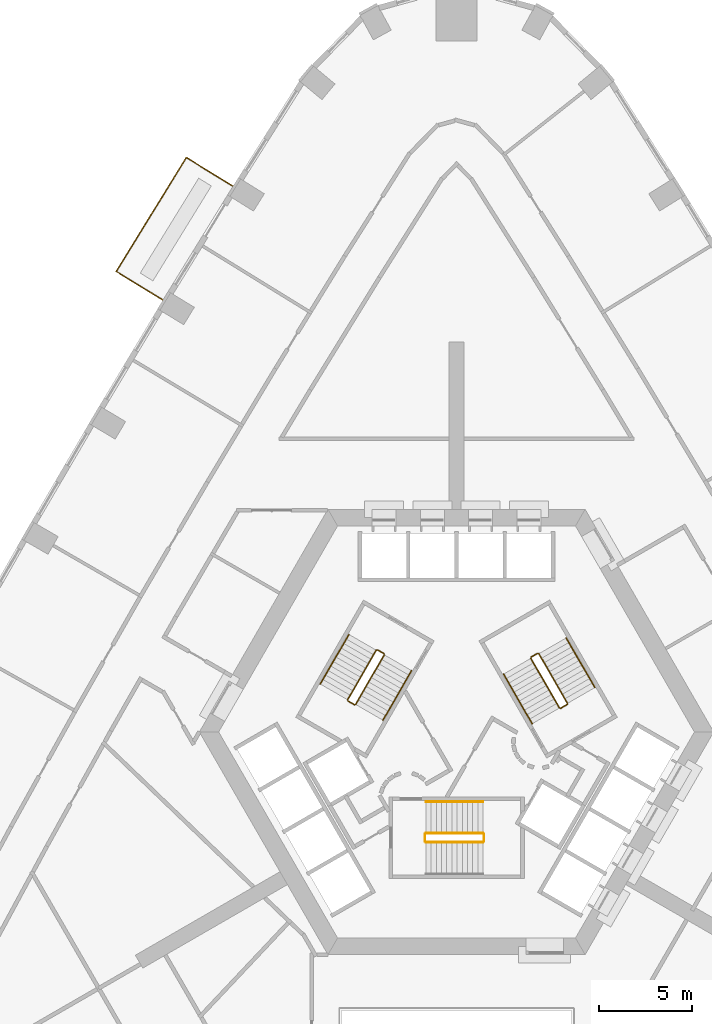
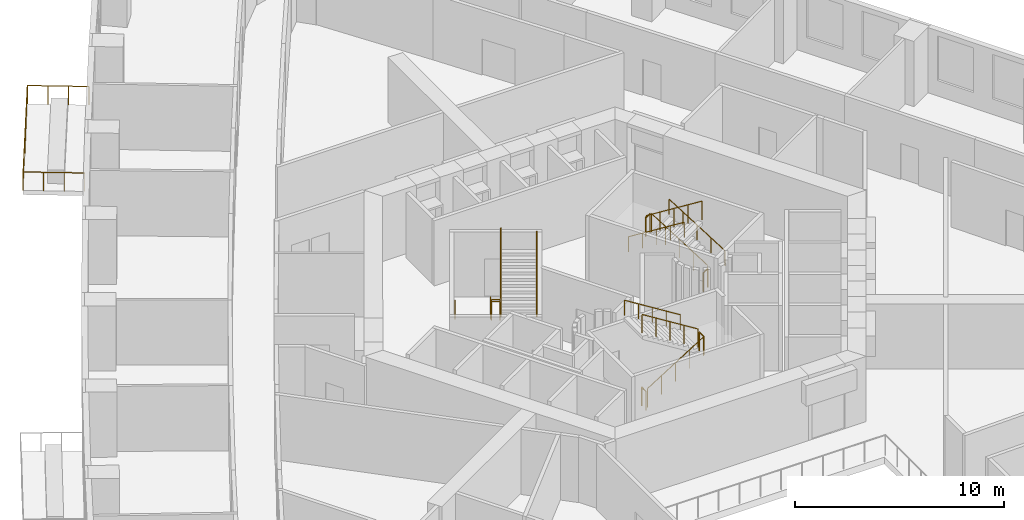
# One storey, part 14 of 15: 18 railings.
"""IFC4 building model written with IfcOpenShell, lengths in metres."""

import ifcopenshell
import ifcopenshell.guid

model = None  # the IFC model being written
_history = None  # IfcOwnerHistory: only IFC2X3 demands one
_inside = {}  # id of a spatial element -> (the spatial element, [elements in it])
_under = {}  # id of a project, library or spatial element -> (it, [spatial elements below it])
_declared = {}  # id of a project -> (the project, [libraries it declares])
_typed = {}  # id of a type object -> (the type object, [elements of that type])
_made_of = {}  # id of a material, layer set ... -> (it, [elements and type objects made of it])


def new_model(schema):
    """Start an empty IFC model of exactly this schema.

    Asked for "IFC4X3", IfcOpenShell would pick the latest addendum, in which some entities
    have other attributes; the version numbers below select the first issue.
    IFC2X3 requires an IfcOwnerHistory on every rooted entity: one is made here for all.
    """
    global model, _history
    if schema == "IFC4X3":
        model = ifcopenshell.file(schema_version=(4, 3, 0, 0))
    else:
        model = ifcopenshell.file(schema=schema)
    _inside.clear()
    _under.clear()
    _declared.clear()
    _typed.clear()
    _made_of.clear()
    _history = None
    if model.schema == "IFC2X3":
        org = make("IfcOrganization", Name="unknown")
        user = make(
            "IfcPersonAndOrganization",
            ThePerson=make("IfcPerson", FamilyName="unknown"),
            TheOrganization=org,
        )
        app = make(
            "IfcApplication",
            ApplicationDeveloper=org,
            Version="unknown",
            ApplicationFullName="unknown",
            ApplicationIdentifier="unknown",
        )
        _history = make(
            "IfcOwnerHistory",
            OwningUser=user,
            OwningApplication=app,
            ChangeAction="ADDED",
            CreationDate=0,
        )
    return model


def make(cls, **values):
    """One entity of the class cls with the attributes given. An attribute that is None is left unset."""
    return model.create_entity(
        cls, **{name: value for name, value in values.items() if value is not None}
    )


def rooted(cls, **values):
    """An entity with a GlobalId (a new one), such as an element, a storey or a relation."""
    return make(cls, GlobalId=ifcopenshell.guid.new(), OwnerHistory=_history, **values)


def si_unit(unit_type, name, prefix=None):
    """IfcSIUnit, for example si_unit("LENGTHUNIT", "METRE", prefix="MILLI")."""
    return make("IfcSIUnit", UnitType=unit_type, Prefix=prefix, Name=name)


def assignment(units):
    """IfcUnitAssignment: the units of a project."""
    return None if units is None else make("IfcUnitAssignment", Units=units)


def point(xyz):
    """IfcCartesianPoint."""
    return None if xyz is None else make("IfcCartesianPoint", Coordinates=xyz)


def direction(xyz):
    """IfcDirection."""
    return None if xyz is None else make("IfcDirection", DirectionRatios=xyz)


def frame(location, z_axis=None, x_axis=None):
    """IfcAxis2Placement3D, a coordinate frame: its origin and axes. An axis left out is left unset."""
    return make(
        "IfcAxis2Placement3D",
        Location=point(location),
        Axis=direction(z_axis),
        RefDirection=direction(x_axis),
    )


def frame_2d(location, x_axis=None):
    """IfcAxis2Placement2D, a coordinate frame in the plane: its origin and x axis."""
    return make(
        "IfcAxis2Placement2D", Location=point(location), RefDirection=direction(x_axis)
    )


def origin():
    """The frame at (0, 0, 0) with its axes left unset."""
    return frame((0.0, 0.0, 0.0))


def origin_2d():
    """The frame at (0, 0) in the plane with its x axis left unset."""
    return frame_2d((0.0, 0.0))


def place(relative_to, where):
    """IfcLocalPlacement: puts the frame where relative to a parent placement (None: the world)."""
    return make(
        "IfcLocalPlacement", PlacementRelTo=relative_to, RelativePlacement=where
    )


def context(
    kind, dimensions, precision=None, world=None, true_north=None, identifier=None
):
    """IfcGeometricRepresentationContext, for example the 3D "Model" context."""
    return make(
        "IfcGeometricRepresentationContext",
        ContextIdentifier=identifier,
        ContextType=kind,
        CoordinateSpaceDimension=dimensions,
        Precision=precision,
        WorldCoordinateSystem=world,
        TrueNorth=true_north,
    )


def subcontext(parent, identifier, kind, view, scale=None):
    """IfcGeometricRepresentationSubContext, for example "Body" below "Model"."""
    return make(
        "IfcGeometricRepresentationSubContext",
        ContextIdentifier=identifier,
        ContextType=kind,
        ParentContext=parent,
        TargetScale=scale,
        TargetView=view,
    )


def project(units=None, contexts=None):
    """IfcProject with its units and contexts."""
    return rooted(
        "IfcProject",
        Name="project",
        RepresentationContexts=contexts,
        UnitsInContext=assignment(units),
    )


def spatial(cls, under=None, at=None, **own):
    """A site, building, storey or space (cls), placed at a placement, below another one or the project."""
    s = rooted(cls, ObjectPlacement=at, **own)
    if under is not None:
        _under.setdefault(under.id(), (under, []))[1].append(s)
    return s


def profile(cls, at=None, kind="AREA", **sizes):
    """A parametric profile (cls). Its sizes go by their IFC names, for example OverallWidth=200.0."""
    return make(cls, ProfileType=kind, Position=at, **sizes)


def circle(**sizes):
    """IfcCircleProfileDef."""
    return profile("IfcCircleProfileDef", **sizes)


def extrude(swept, where, along, depth):
    """IfcExtrudedAreaSolid: the profile swept, set in the frame where, extruded along a direction by depth."""
    return make(
        "IfcExtrudedAreaSolid",
        SweptArea=swept,
        Position=where,
        ExtrudedDirection=direction(along),
        Depth=depth,
    )


def shape(context_of_items, identifier, shape_type, items):
    """IfcShapeRepresentation: the items that make up one representation, for example the "Body"."""
    return make(
        "IfcShapeRepresentation",
        ContextOfItems=context_of_items,
        RepresentationIdentifier=identifier,
        RepresentationType=shape_type,
        Items=items,
    )


def material(Name=None, Category=None):
    """IfcMaterial."""
    return make("IfcMaterial", Name=Name, Category=Category)


def made_of(thing, what):
    """Note that an element or type object is made of a material, layer set ...; save() writes the relation."""
    if what is not None:
        _made_of.setdefault(what.id(), (what, []))[1].append(thing)
    return thing


def type_object(cls, material=None, **own):
    """A type object (cls), such as IfcWallType, which elements share."""
    return made_of(rooted(cls, **own), material)


def element(
    cls,
    number,
    at=None,
    inside=None,
    cuts=None,
    type_object=None,
    material=None,
    context=None,
    identifier="Body",
    shape_type=None,
    held_by="IfcProductDefinitionShape",
    body=None,
    shapes=None,
    **own,
):
    """One element of the class cls, such as IfcWall. Its Tag is "e" and its number.

    at: its placement. inside: the storey or other place that contains it. cuts: it is an
    opening in that element (IfcRelVoidsElement). A single representation is given by context,
    identifier, shape_type and body (its items); several are given by shapes. held_by: the class
    of the entity that holds the representations. save() writes the other relations.
    """
    e = rooted(cls, Tag="e%d" % number, ObjectPlacement=at, **own)
    if body is not None:
        shapes = [shape(context, identifier, shape_type, body)]
    if shapes is not None:
        e.Representation = make(held_by, Representations=shapes)
    if inside is not None:
        _inside.setdefault(inside.id(), (inside, []))[1].append(e)
    if cuts is not None:
        rooted(
            "IfcRelVoidsElement", RelatingBuildingElement=cuts, RelatedOpeningElement=e
        )
    if type_object is not None:
        _typed.setdefault(type_object.id(), (type_object, []))[1].append(e)
    return made_of(e, material)


def aggregate(whole, parts):
    """IfcRelAggregates: a whole, such as a stair, and the parts it consists of."""
    return rooted("IfcRelAggregates", RelatingObject=whole, RelatedObjects=parts)


def save(model, path):
    """Write the relations noted so far, then the file.

    IfcRelAggregates (storeys below a building ...), IfcRelContainedInSpatialStructure (elements
    in a storey), IfcRelDefinesByType, IfcRelAssociatesMaterial and IfcRelDeclares: one each for
    every whole, place, type object, material and project.
    """
    for whole, parts in _under.values():
        aggregate(whole, parts)
    for where, things in _inside.values():
        rooted(
            "IfcRelContainedInSpatialStructure",
            RelatedElements=things,
            RelatingStructure=where,
        )
    for kind, things in _typed.values():
        rooted("IfcRelDefinesByType", RelatedObjects=things, RelatingType=kind)
    for what, things in _made_of.values():
        rooted("IfcRelAssociatesMaterial", RelatedObjects=things, RelatingMaterial=what)
    for by, libraries in _declared.values():
        rooted("IfcRelDeclares", RelatingContext=by, RelatedDefinitions=libraries)
    model.write(path)


model = new_model("IFC4")

# Units and contexts
model_context = context("Model", 3, precision=1e-05, world=origin(), true_north=direction((0.0, 1.0)))
body_context = subcontext(model_context, "Body", "Model", "MODEL_VIEW")
ifc_project = project(units=[si_unit("LENGTHUNIT", "METRE"), si_unit("AREAUNIT", "SQUARE_METRE"), si_unit("VOLUMEUNIT", "CUBIC_METRE"), si_unit("PLANEANGLEUNIT", "RADIAN"), si_unit("MASSUNIT", "GRAM", prefix="KILO")], contexts=[model_context])

# Site, building, storey
site_placement = place(None, origin())
site = spatial("IfcSite", under=ifc_project, at=site_placement, CompositionType="ELEMENT")
building_placement = place(site_placement, origin())
building = spatial("IfcBuilding", under=site, at=building_placement, Name="Entoto Arch Interchange Tower", CompositionType="ELEMENT")
storey_placement = place(building_placement, frame((0.0, 0.0, 107.60009765625)))
storey = spatial("IfcBuildingStorey", under=building, at=storey_placement, Name="L23", CompositionType="ELEMENT", Elevation=107.60009765625)

# Railings
ifc_material = material(Name="Stainless steel 1.4301", Category="steel")
railing_type_1 = type_object("IfcRailingType", Name="GUARD 1100 STEEL AND GLASS", PredefinedType="GUARDRAIL", material=ifc_material)
railing_1_placement = place(storey_placement, frame((-12.0458984375, 31.905029296875, 0.0)))
element("IfcRailing", 1, at=railing_1_placement, inside=storey, type_object=railing_type_1, Name="Balcony guard NW-02 L23", PredefinedType="GUARDRAIL", context=body_context, shape_type="SweptSolid", body=[
    extrude(circle(Radius=0.02392578125, at=origin_2d()), frame((0.0, 0.0, 1.076171875), z_axis=(-0.851669683609, 0.524078953995, 0.0), x_axis=(-0.524078953995, -0.851669683609, 0.0)), (0.0, 0.0, 1.0), 2.94970703125),
    extrude(circle(Radius=0.02392578125, at=origin_2d()), frame((-2.51220703125, 1.5458984375, 1.076171875), z_axis=(-0.52414658747, -0.85162806133, 0.0), x_axis=(0.85162806133, -0.52414658747, 0.0)), (0.0, 0.0, 1.0), 7.203857421875),
    extrude(circle(Radius=0.02392578125, at=origin_2d()), frame((-6.2880859375, -4.589111328125, 1.076171875), z_axis=(0.851646948598, -0.524115898389, 0.0), x_axis=(0.524115898389, 0.851646948598, 0.0)), (0.0, 0.0, 1.0), 2.949462890625),
    extrude(circle(Radius=0.02099609375, at=origin_2d()), origin(), (0.0, 0.0, 1.0), 1.052001953125),
    extrude(circle(Radius=0.02099609375, at=origin_2d()), frame((-0.83740234375, 0.515380859375, 0.0)), (0.0, 0.0, 1.0), 1.052001953125),
    extrude(circle(Radius=0.02099609375, at=origin_2d()), frame((-1.6748046875, 1.030517578125, 0.0)), (0.0, 0.0, 1.0), 1.052001953125),
    extrude(circle(Radius=0.02099609375, at=origin_2d()), frame((-2.51220703125, 1.5458984375, 0.0)), (0.0, 0.0, 1.0), 1.052001953125),
    extrude(circle(Radius=0.02099609375, at=origin_2d()), frame((-3.051513671875, 0.66943359375, 0.0)), (0.0, 0.0, 1.0), 1.052001953125),
    extrude(circle(Radius=0.02099609375, at=origin_2d()), frame((-3.591064453125, -0.20703125, 0.0)), (0.0, 0.0, 1.0), 1.052001953125),
    extrude(circle(Radius=0.02099609375, at=origin_2d()), frame((-4.13037109375, -1.08349609375, 0.0)), (0.0, 0.0, 1.0), 1.052001953125),
    extrude(circle(Radius=0.02099609375, at=origin_2d()), frame((-4.669921875, -1.959716796875, 0.0)), (0.0, 0.0, 1.0), 1.052001953125),
    extrude(circle(Radius=0.02099609375, at=origin_2d()), frame((-5.209228515625, -2.836181640625, 0.0)), (0.0, 0.0, 1.0), 1.052001953125),
    extrude(circle(Radius=0.02099609375, at=origin_2d()), frame((-5.748779296875, -3.712646484375, 0.0)), (0.0, 0.0, 1.0), 1.052001953125),
    extrude(circle(Radius=0.02099609375, at=origin_2d()), frame((-6.2880859375, -4.589111328125, 0.0)), (0.0, 0.0, 1.0), 1.052001953125),
    extrude(circle(Radius=0.02099609375, at=origin_2d()), frame((-5.45068359375, -5.1044921875, 0.0)), (0.0, 0.0, 1.0), 1.052001953125),
    extrude(circle(Radius=0.02099609375, at=origin_2d()), frame((-4.613525390625, -5.61962890625, 0.0)), (0.0, 0.0, 1.0), 1.052001953125),
    extrude(circle(Radius=0.02099609375, at=origin_2d()), frame((-3.776123046875, -6.135009765625, 0.0)), (0.0, 0.0, 1.0), 1.052001953125),
])
railing_type_2 = type_object("IfcRailingType", Name="STAIR GUARD 1100 STEEL", PredefinedType="GUARDRAIL", material=ifc_material)
railing_2_placement = place(storey_placement, frame((-1.64990234375, -3.449951171875, 0.1748046875)))
element("IfcRailing", 2, at=railing_2_placement, inside=storey, type_object=railing_type_2, Name="L23 ST-S stair guard 1", PredefinedType="GUARDRAIL", context=body_context, shape_type="SweptSolid", body=[
    extrude(circle(Radius=0.02392578125, at=origin_2d()), frame((0.0, 0.0, 1.076171875), z_axis=(0.847979421464, 0.0, 0.530029150871), x_axis=(0.0, 1.0, 0.0)), (0.0, 0.0, 1.0), 3.632080078125),
    extrude(circle(Radius=0.02099609375, at=origin_2d()), origin(), (0.0, 0.0, 1.0), 1.052001953125),
    extrude(circle(Radius=0.02099609375, at=origin_2d()), frame((0.77001953125, 0.0, 0.481201171875)), (0.0, 0.0, 1.0), 1.052001953125),
    extrude(circle(Radius=0.02099609375, at=origin_2d()), frame((1.5400390625, 0.0, 0.96240234375)), (0.0, 0.0, 1.0), 1.052001953125),
    extrude(circle(Radius=0.02099609375, at=origin_2d()), frame((2.309814453125, 0.0, 1.44384765625)), (0.0, 0.0, 1.0), 1.052001953125),
    extrude(circle(Radius=0.02099609375, at=origin_2d()), frame((3.079833984375, 0.0, 1.925048828125)), (0.0, 0.0, 1.0), 1.052001953125),
])
railing_3_placement = place(storey_placement, frame((1.47998046875, -3.39990234375, 2.099853515625)))
element("IfcRailing", 3, at=railing_3_placement, inside=storey, type_object=railing_type_2, Name="L23 ST-S stair guard 2", PredefinedType="GUARDRAIL", context=body_context, shape_type="SweptSolid", body=[
    extrude(circle(Radius=0.02392578125, at=origin_2d()), frame((0.0, 0.0, 1.076171875), z_axis=(0.0, 1.0, 0.0), x_axis=(-1.0, 0.0, 0.0)), (0.0, 0.0, 1.0), 0.39990234375),
    extrude(circle(Radius=0.02099609375, at=origin_2d()), origin(), (0.0, 0.0, 1.0), 1.052001953125),
    extrude(circle(Radius=0.02099609375, at=origin_2d()), frame((0.0, 0.39990234375, 0.0)), (0.0, 0.0, 1.0), 1.052001953125),
])
railing_4_placement = place(storey_placement, frame((1.429931640625, -2.949951171875, 2.27490234375)))
element("IfcRailing", 4, at=railing_4_placement, inside=storey, type_object=railing_type_2, Name="L23 ST-S stair guard 3", PredefinedType="GUARDRAIL", context=body_context, shape_type="SweptSolid", body=[
    extrude(circle(Radius=0.02392578125, at=origin_2d()), frame((0.0, 0.0, 1.076171875), z_axis=(-0.847979421464, 0.0, 0.530029150871), x_axis=(0.0, -1.0, 0.0)), (0.0, 0.0, 1.0), 3.632080078125),
    extrude(circle(Radius=0.02099609375, at=origin_2d()), origin(), (0.0, 0.0, 1.0), 1.052001953125),
    extrude(circle(Radius=0.02099609375, at=origin_2d()), frame((-0.77001953125, 0.0, 0.481201171875)), (0.0, 0.0, 1.0), 1.052001953125),
    extrude(circle(Radius=0.02099609375, at=origin_2d()), frame((-1.5400390625, 0.0, 0.96240234375)), (0.0, 0.0, 1.0), 1.052001953125),
    extrude(circle(Radius=0.02099609375, at=origin_2d()), frame((-2.309814453125, 0.0, 1.44384765625)), (0.0, 0.0, 1.0), 1.052001953125),
    extrude(circle(Radius=0.02099609375, at=origin_2d()), frame((-3.079833984375, 0.0, 1.925048828125)), (0.0, 0.0, 1.0), 1.052001953125),
])
railing_5_placement = place(storey_placement, frame((-1.699951171875, -3.39990234375, 0.0)))
element("IfcRailing", 5, at=railing_5_placement, inside=storey, type_object=railing_type_2, Name="L23 ST-S stair guard 4", PredefinedType="GUARDRAIL", context=body_context, shape_type="SweptSolid", body=[
    extrude(circle(Radius=0.02392578125, at=origin_2d()), frame((0.0, 0.0, 1.076171875), z_axis=(0.0, 1.0, 0.0), x_axis=(-1.0, 0.0, 0.0)), (0.0, 0.0, 1.0), 0.39990234375),
    extrude(circle(Radius=0.02099609375, at=origin_2d()), origin(), (0.0, 0.0, 1.0), 1.052001953125),
    extrude(circle(Radius=0.02099609375, at=origin_2d()), frame((0.0, 0.39990234375, 0.0)), (0.0, 0.0, 1.0), 1.052001953125),
])
railing_6_placement = place(storey_placement, frame((5.977783203125, 4.046142578125, 0.1748046875)))
element("IfcRailing", 6, at=railing_6_placement, inside=storey, type_object=railing_type_2, Name="L23 ST-NE stair guard 1", PredefinedType="GUARDRAIL", context=body_context, shape_type="SweptSolid", body=[
    extrude(circle(Radius=0.02392578125, at=origin_2d()), frame((0.0, 0.0, 1.076171875), z_axis=(-0.424015404183, 0.734364028329, 0.530019255228), x_axis=(-0.866010015463, -0.500026652407, 0.0)), (0.0, 0.0, 1.0), 3.632080078125),
    extrude(circle(Radius=0.02099609375, at=origin_2d()), origin(), (0.0, 0.0, 1.0), 1.052001953125),
    extrude(circle(Radius=0.02099609375, at=origin_2d()), frame((-0.385009765625, 0.666748046875, 0.481201171875)), (0.0, 0.0, 1.0), 1.052001953125),
    extrude(circle(Radius=0.02099609375, at=origin_2d()), frame((-0.77001953125, 1.33349609375, 0.96240234375)), (0.0, 0.0, 1.0), 1.052001953125),
    extrude(circle(Radius=0.02099609375, at=origin_2d()), frame((-1.155029296875, 2.00048828125, 1.44384765625)), (0.0, 0.0, 1.0), 1.052001953125),
    extrude(circle(Radius=0.02099609375, at=origin_2d()), frame((-1.5400390625, 2.667236328125, 1.925048828125)), (0.0, 0.0, 1.0), 1.052001953125),
])
railing_7_placement = place(storey_placement, frame((4.36962890625, 6.731689453125, 2.099853515625)))
element("IfcRailing", 7, at=railing_7_placement, inside=storey, type_object=railing_type_2, Name="L23 ST-NE stair guard 2", PredefinedType="GUARDRAIL", context=body_context, shape_type="SweptSolid", body=[
    extrude(circle(Radius=0.02392578125, at=origin_2d()), frame((0.0, 0.0, 1.076171875), z_axis=(-0.866094119867, -0.499880961361, 0.0), x_axis=(0.499880961361, -0.866094119867, 0.0)), (0.0, 0.0, 1.0), 0.39990234375),
    extrude(circle(Radius=0.02099609375, at=origin_2d()), origin(), (0.0, 0.0, 1.0), 1.052001953125),
    extrude(circle(Radius=0.02099609375, at=origin_2d()), frame((-0.346435546875, -0.199951171875, 0.0)), (0.0, 0.0, 1.0), 1.052001953125),
])
railing_8_placement = place(storey_placement, frame((4.0048828125, 6.46337890625, 2.27490234375)))
element("IfcRailing", 8, at=railing_8_placement, inside=storey, type_object=railing_type_2, Name="L23 ST-NE stair guard 3", PredefinedType="GUARDRAIL", context=body_context, shape_type="SweptSolid", body=[
    extrude(circle(Radius=0.02392578125, at=origin_2d()), frame((0.0, 0.0, 1.076171875), z_axis=(0.424015404183, -0.734364028329, 0.530019255228), x_axis=(0.866010015463, 0.500026652407, 0.0)), (0.0, 0.0, 1.0), 3.632080078125),
    extrude(circle(Radius=0.02099609375, at=origin_2d()), origin(), (0.0, 0.0, 1.0), 1.052001953125),
    extrude(circle(Radius=0.02099609375, at=origin_2d()), frame((0.385009765625, -0.666748046875, 0.481201171875)), (0.0, 0.0, 1.0), 1.052001953125),
    extrude(circle(Radius=0.02099609375, at=origin_2d()), frame((0.77001953125, -1.33349609375, 0.96240234375)), (0.0, 0.0, 1.0), 1.052001953125),
    extrude(circle(Radius=0.02099609375, at=origin_2d()), frame((1.155029296875, -2.00048828125, 1.44384765625)), (0.0, 0.0, 1.0), 1.052001953125),
    extrude(circle(Radius=0.02099609375, at=origin_2d()), frame((1.5400390625, -2.667236328125, 1.925048828125)), (0.0, 0.0, 1.0), 1.052001953125),
])
railing_9_placement = place(storey_placement, frame((5.95947265625, 3.977783203125, 0.0)))
element("IfcRailing", 9, at=railing_9_placement, inside=storey, type_object=railing_type_2, Name="L23 ST-NE stair guard 4", PredefinedType="GUARDRAIL", context=body_context, shape_type="SweptSolid", body=[
    extrude(circle(Radius=0.02392578125, at=origin_2d()), frame((0.0, 0.0, 1.076171875), z_axis=(-0.866094119867, -0.499880961361, 0.0), x_axis=(0.499880961361, -0.866094119867, 0.0)), (0.0, 0.0, 1.0), 0.39990234375),
    extrude(circle(Radius=0.02099609375, at=origin_2d()), origin(), (0.0, 0.0, 1.0), 1.052001953125),
    extrude(circle(Radius=0.02099609375, at=origin_2d()), frame((-0.346435546875, -0.199951171875, 0.0)), (0.0, 0.0, 1.0), 1.052001953125),
])
railing_10_placement = place(storey_placement, frame((-4.327880859375, 6.904052734375, 0.1748046875)))
element("IfcRailing", 10, at=railing_10_placement, inside=storey, type_object=railing_type_2, Name="L23 ST-NW stair guard 1", PredefinedType="GUARDRAIL", context=body_context, shape_type="SweptSolid", body=[
    extrude(circle(Radius=0.02392578125, at=origin_2d()), frame((0.0, 0.0, 1.076171875), z_axis=(-0.423994474112, -0.734394994316, 0.52999309264), x_axis=(0.866029832698, -0.499992328818, 0.0)), (0.0, 0.0, 1.0), 3.63232421875),
    extrude(circle(Radius=0.02099609375, at=origin_2d()), origin(), (0.0, 0.0, 1.0), 1.052001953125),
    extrude(circle(Radius=0.02099609375, at=origin_2d()), frame((-0.385009765625, -0.6669921875, 0.481201171875)), (0.0, 0.0, 1.0), 1.052001953125),
    extrude(circle(Radius=0.02099609375, at=origin_2d()), frame((-0.77001953125, -1.333740234375, 0.96240234375)), (0.0, 0.0, 1.0), 1.052001953125),
    extrude(circle(Radius=0.02099609375, at=origin_2d()), frame((-1.155029296875, -2.00048828125, 1.44384765625)), (0.0, 0.0, 1.0), 1.052001953125),
    extrude(circle(Radius=0.02099609375, at=origin_2d()), frame((-1.5400390625, -2.66748046875, 1.925048828125)), (0.0, 0.0, 1.0), 1.052001953125),
])
railing_11_placement = place(storey_placement, frame((-5.849609375, 4.168212890625, 2.099853515625)))
element("IfcRailing", 11, at=railing_11_placement, inside=storey, type_object=railing_type_2, Name="L23 ST-NW stair guard 2", PredefinedType="GUARDRAIL", context=body_context, shape_type="SweptSolid", body=[
    extrude(circle(Radius=0.02392578125, at=origin_2d()), frame((0.0, 0.0, 1.076171875), z_axis=(0.866094119867, -0.499880961361, 0.0), x_axis=(0.499880961361, 0.866094119867, 0.0)), (0.0, 0.0, 1.0), 0.39990234375),
    extrude(circle(Radius=0.02099609375, at=origin_2d()), origin(), (0.0, 0.0, 1.0), 1.052001953125),
    extrude(circle(Radius=0.02099609375, at=origin_2d()), frame((0.346435546875, -0.199951171875, 0.0)), (0.0, 0.0, 1.0), 1.052001953125),
])
railing_12_placement = place(storey_placement, frame((-5.434814453125, 3.986572265625, 2.27490234375)))
element("IfcRailing", 12, at=railing_12_placement, inside=storey, type_object=railing_type_2, Name="L23 ST-NW stair guard 3", PredefinedType="GUARDRAIL", context=body_context, shape_type="SweptSolid", body=[
    extrude(circle(Radius=0.02392578125, at=origin_2d()), frame((0.0, 0.0, 1.076171875), z_axis=(0.423994474112, 0.734394994316, 0.52999309264), x_axis=(-0.866029832698, 0.499992328818, 0.0)), (0.0, 0.0, 1.0), 3.63232421875),
    extrude(circle(Radius=0.02099609375, at=origin_2d()), origin(), (0.0, 0.0, 1.0), 1.052001953125),
    extrude(circle(Radius=0.02099609375, at=origin_2d()), frame((0.385009765625, 0.6669921875, 0.481201171875)), (0.0, 0.0, 1.0), 1.052001953125),
    extrude(circle(Radius=0.02099609375, at=origin_2d()), frame((0.77001953125, 1.333740234375, 0.96240234375)), (0.0, 0.0, 1.0), 1.052001953125),
    extrude(circle(Radius=0.02099609375, at=origin_2d()), frame((1.155029296875, 2.00048828125, 1.44384765625)), (0.0, 0.0, 1.0), 1.052001953125),
    extrude(circle(Radius=0.02099609375, at=origin_2d()), frame((1.5400390625, 2.66748046875, 1.925048828125)), (0.0, 0.0, 1.0), 1.052001953125),
])
railing_13_placement = place(storey_placement, frame((-4.259521484375, 6.92236328125, 0.0)))
element("IfcRailing", 13, at=railing_13_placement, inside=storey, type_object=railing_type_2, Name="L23 ST-NW stair guard 4", PredefinedType="GUARDRAIL", context=body_context, shape_type="SweptSolid", body=[
    extrude(circle(Radius=0.02392578125, at=origin_2d()), frame((0.0, 0.0, 1.076171875), z_axis=(0.865829829939, -0.500338590944, 0.0), x_axis=(0.500338590944, 0.865829829939, 0.0)), (0.0, 0.0, 1.0), 0.400146484375),
    extrude(circle(Radius=0.02099609375, at=origin_2d()), origin(), (0.0, 0.0, 1.0), 1.052001953125),
    extrude(circle(Radius=0.02099609375, at=origin_2d()), frame((0.346435546875, -0.2001953125, 0.0)), (0.0, 0.0, 1.0), 1.052001953125),
])
railing_type_3 = type_object("IfcRailingType", Name="STAIR HANDRAIL 900 STEEL", PredefinedType="HANDRAIL", material=ifc_material)
railing_14_placement = place(storey_placement, frame((1.429931640625, -1.25, 2.27490234375)))
element("IfcRailing", 14, at=railing_14_placement, inside=storey, type_object=railing_type_3, Name="L23 ST-S stair handrail 2", PredefinedType="HANDRAIL", context=body_context, shape_type="SweptSolid", body=[
    extrude(circle(Radius=0.02392578125, at=origin_2d()), frame((0.0, 0.0, 0.8759765625), z_axis=(-0.847979421464, 0.0, 0.530029150871), x_axis=(0.0, -1.0, 0.0)), (0.0, 0.0, 1.0), 3.632080078125),
    extrude(circle(Radius=0.02099609375, at=origin_2d()), origin(), (0.0, 0.0, 1.0), 0.851806640625),
    extrude(circle(Radius=0.02099609375, at=origin_2d()), frame((-0.77001953125, 0.0, 0.481201171875)), (0.0, 0.0, 1.0), 0.851806640625),
    extrude(circle(Radius=0.02099609375, at=origin_2d()), frame((-1.5400390625, 0.0, 0.96240234375)), (0.0, 0.0, 1.0), 0.851806640625),
    extrude(circle(Radius=0.02099609375, at=origin_2d()), frame((-2.309814453125, 0.0, 1.44384765625)), (0.0, 0.0, 1.0), 0.851806640625),
    extrude(circle(Radius=0.02099609375, at=origin_2d()), frame((-3.079833984375, 0.0, 1.925048828125)), (0.0, 0.0, 1.0), 0.851806640625),
])
railing_15_placement = place(storey_placement, frame((7.4501953125, 4.89599609375, 0.1748046875)))
element("IfcRailing", 15, at=railing_15_placement, inside=storey, type_object=railing_type_3, Name="L23 ST-NE stair handrail 1", PredefinedType="HANDRAIL", context=body_context, shape_type="SweptSolid", body=[
    extrude(circle(Radius=0.02392578125, at=origin_2d()), frame((0.0, 0.0, 0.8759765625), z_axis=(-0.423994474112, 0.734394994316, 0.52999309264), x_axis=(-0.866029832698, -0.499992328818, 0.0)), (0.0, 0.0, 1.0), 3.63232421875),
    extrude(circle(Radius=0.02099609375, at=origin_2d()), origin(), (0.0, 0.0, 1.0), 0.851806640625),
    extrude(circle(Radius=0.02099609375, at=origin_2d()), frame((-0.385009765625, 0.6669921875, 0.481201171875)), (0.0, 0.0, 1.0), 0.851806640625),
    extrude(circle(Radius=0.02099609375, at=origin_2d()), frame((-0.77001953125, 1.333740234375, 0.96240234375)), (0.0, 0.0, 1.0), 0.851806640625),
    extrude(circle(Radius=0.02099609375, at=origin_2d()), frame((-1.155029296875, 2.00048828125, 1.44384765625)), (0.0, 0.0, 1.0), 0.851806640625),
    extrude(circle(Radius=0.02099609375, at=origin_2d()), frame((-1.5400390625, 2.66748046875, 1.925048828125)), (0.0, 0.0, 1.0), 0.851806640625),
])
railing_16_placement = place(storey_placement, frame((2.53271484375, 5.613525390625, 2.27490234375)))
element("IfcRailing", 16, at=railing_16_placement, inside=storey, type_object=railing_type_3, Name="L23 ST-NE stair handrail 2", PredefinedType="HANDRAIL", context=body_context, shape_type="SweptSolid", body=[
    extrude(circle(Radius=0.02392578125, at=origin_2d()), frame((0.0, 0.0, 0.8759765625), z_axis=(0.423939339791, -0.734415923031, 0.53000819633), x_axis=(0.866064153644, 0.499932877268, 0.0)), (0.0, 0.0, 1.0), 3.632080078125),
    extrude(circle(Radius=0.02099609375, at=origin_2d()), origin(), (0.0, 0.0, 1.0), 0.851806640625),
    extrude(circle(Radius=0.02099609375, at=origin_2d()), frame((0.385009765625, -0.6669921875, 0.481201171875)), (0.0, 0.0, 1.0), 0.851806640625),
    extrude(circle(Radius=0.02099609375, at=origin_2d()), frame((0.77001953125, -1.333740234375, 0.96240234375)), (0.0, 0.0, 1.0), 0.851806640625),
    extrude(circle(Radius=0.02099609375, at=origin_2d()), frame((1.15478515625, -2.00048828125, 1.44384765625)), (0.0, 0.0, 1.0), 0.851806640625),
    extrude(circle(Radius=0.02099609375, at=origin_2d()), frame((1.539794921875, -2.66748046875, 1.925048828125)), (0.0, 0.0, 1.0), 0.851806640625),
])
railing_17_placement = place(storey_placement, frame((-5.800048828125, 7.75390625, 0.1748046875)))
element("IfcRailing", 17, at=railing_17_placement, inside=storey, type_object=railing_type_3, Name="L23 ST-NW stair handrail 1", PredefinedType="HANDRAIL", context=body_context, shape_type="SweptSolid", body=[
    extrude(circle(Radius=0.02392578125, at=origin_2d()), frame((0.0, 0.0, 0.8759765625), z_axis=(-0.424015404183, -0.734364028329, 0.530019255228), x_axis=(0.866010015463, -0.500026652407, 0.0)), (0.0, 0.0, 1.0), 3.632080078125),
    extrude(circle(Radius=0.02099609375, at=origin_2d()), origin(), (0.0, 0.0, 1.0), 0.851806640625),
    extrude(circle(Radius=0.02099609375, at=origin_2d()), frame((-0.385009765625, -0.666748046875, 0.481201171875)), (0.0, 0.0, 1.0), 0.851806640625),
    extrude(circle(Radius=0.02099609375, at=origin_2d()), frame((-0.77001953125, -1.33349609375, 0.96240234375)), (0.0, 0.0, 1.0), 0.851806640625),
    extrude(circle(Radius=0.02099609375, at=origin_2d()), frame((-1.155029296875, -2.00048828125, 1.44384765625)), (0.0, 0.0, 1.0), 0.851806640625),
    extrude(circle(Radius=0.02099609375, at=origin_2d()), frame((-1.5400390625, -2.667236328125, 1.925048828125)), (0.0, 0.0, 1.0), 0.851806640625),
])
railing_18_placement = place(storey_placement, frame((-3.962646484375, 3.136474609375, 2.27490234375)))
element("IfcRailing", 18, at=railing_18_placement, inside=storey, type_object=railing_type_3, Name="L23 ST-NW stair handrail 2", PredefinedType="HANDRAIL", context=body_context, shape_type="SweptSolid", body=[
    extrude(circle(Radius=0.02392578125, at=origin_2d()), frame((0.0, 0.0, 0.8759765625), z_axis=(0.423994474112, 0.734394994316, 0.52999309264), x_axis=(-0.866029832698, 0.499992328818, 0.0)), (0.0, 0.0, 1.0), 3.63232421875),
    extrude(circle(Radius=0.02099609375, at=origin_2d()), origin(), (0.0, 0.0, 1.0), 0.851806640625),
    extrude(circle(Radius=0.02099609375, at=origin_2d()), frame((0.385009765625, 0.6669921875, 0.481201171875)), (0.0, 0.0, 1.0), 0.851806640625),
    extrude(circle(Radius=0.02099609375, at=origin_2d()), frame((0.77001953125, 1.333740234375, 0.96240234375)), (0.0, 0.0, 1.0), 0.851806640625),
    extrude(circle(Radius=0.02099609375, at=origin_2d()), frame((1.155029296875, 2.00048828125, 1.44384765625)), (0.0, 0.0, 1.0), 0.851806640625),
    extrude(circle(Radius=0.02099609375, at=origin_2d()), frame((1.5400390625, 2.66748046875, 1.925048828125)), (0.0, 0.0, 1.0), 0.851806640625),
])

save(model, "model.ifc")
